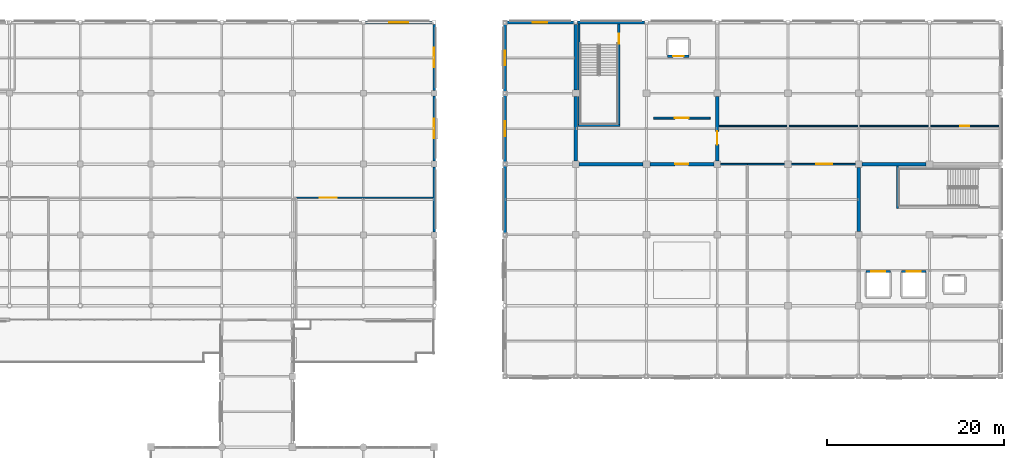
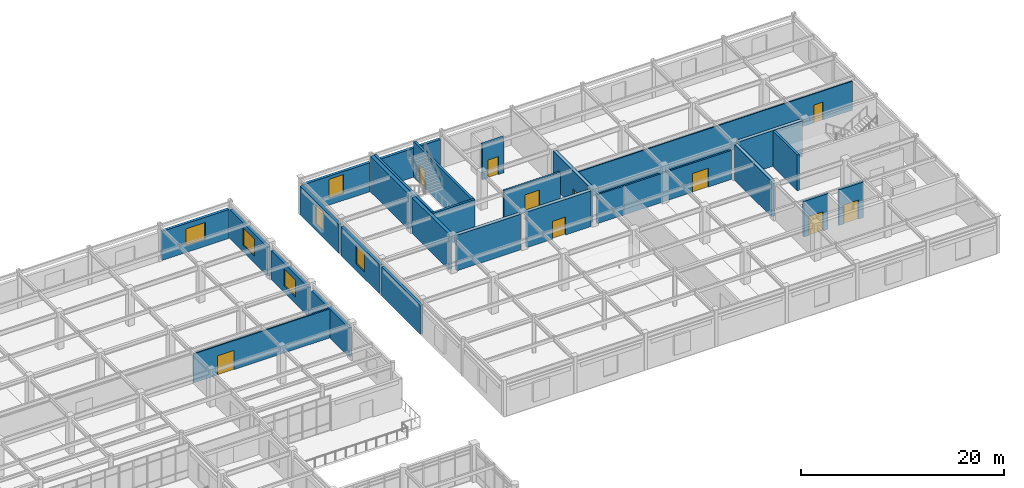
# One storey, part 63 of 93: 28 walls, 10 doors, 6 windows, 16 openings.
"""IFC4 building model written with IfcOpenShell, lengths in metres."""

from ifc_helpers import new_model, si_unit, direction, frame, frame_2d, origin, place, context, subcontext, project, spatial, rectangle, extrude, material, layer, layer_set, type_object, element, fill, save


model = new_model("IFC4")

# Units and contexts
model_context = context("Model", 3, precision=1e-05, world=origin(), true_north=direction((0.0, 1.0)))
body_context = subcontext(model_context, "Body", "Model", "MODEL_VIEW")
ifc_project = project(units=[si_unit("LENGTHUNIT", "METRE"), si_unit("AREAUNIT", "SQUARE_METRE"), si_unit("VOLUMEUNIT", "CUBIC_METRE"), si_unit("PLANEANGLEUNIT", "RADIAN"), si_unit("MASSUNIT", "GRAM", prefix="KILO")], contexts=[model_context])

# Site, building, storey
site_placement = place(None, origin())
site = spatial("IfcSite", under=ifc_project, at=site_placement, CompositionType="ELEMENT")
building_placement = place(site_placement, origin())
building = spatial("IfcBuilding", under=site, at=building_placement, Name="Solmirada Galleria", CompositionType="ELEMENT")
storey_placement = place(building_placement, frame((0.0, 0.0, 14.89990234375)))
storey = spatial("IfcBuildingStorey", under=building, at=storey_placement, Name="L03", CompositionType="ELEMENT", Elevation=14.89990234375)

# Wall
ifc_material_1 = material(Name="Concrete C40/50", Category="concrete")
ifc_layer_1 = layer(ifc_material_1, 0.3798828125)
ifc_layer_set_1 = layer_set([ifc_layer_1], Name="Concrete C40/50")
wall_type_1 = type_object("IfcWallType", Name="WL-CORE-380", PredefinedType="SHEAR", material=ifc_layer_set_1)
wall_1_placement = place(storey_placement, frame((128.375, 104.0, 0.0), z_axis=(0.0, 0.0, 1.0), x_axis=(1.0, 0.0, 0.0)))
element("IfcWall", 1, at=wall_1_placement, inside=storey, type_object=wall_type_1, Name="Core C3 shear wall L03 S1", PredefinedType="SHEAR", context=body_context, shape_type="SweptSolid", body=[
    extrude(rectangle(XDim=7.25, YDim=0.3798828125, at=frame_2d((3.625, 0.0))), origin(), (0.0, 0.0, 1.0), 4.280029296875),
])

# Wall, opening, door
wall_2_placement = place(storey_placement, frame((136.375, 104.0, 0.0), z_axis=(0.0, 0.0, 1.0), x_axis=(1.0, 0.0, 0.0)))
wall_2 = element("IfcWall", 2, at=wall_2_placement, inside=storey, type_object=wall_type_1, Name="Core C3 shear wall L03 S2", PredefinedType="SHEAR", context=body_context, shape_type="SweptSolid", body=[
    extrude(rectangle(XDim=7.25, YDim=0.3798828125, at=frame_2d((3.625, 0.0))), origin(), (0.0, 0.0, 1.0), 4.280029296875),
])
opening_1_placement = place(wall_2_placement, frame((2.875, 0.0, 0.0)))
opening_1 = element("IfcOpeningElement", 3, at=opening_1_placement, cuts=wall_2, Name="Opening LDY-186", PredefinedType="OPENING", context=body_context, shape_type="SweptSolid", body=[
    extrude(rectangle(XDim=1.5, YDim=2.14990234375, at=frame_2d((0.75, 1.074951171875))), frame((0.0, 0.199951171875, 0.0), z_axis=(0.0, -1.0, 0.0), x_axis=(1.0, 0.0, 0.0)), (0.0, 0.0, 1.0), 0.39990234375),
])
ifc_material_2 = material(Name="Fire-rated painted steel door assembly", Category="steel")
door_type_1 = type_object("IfcDoorType", Name="DR-LOBBY-150X215", OperationType="DOUBLE_DOOR_SINGLE_SWING", PredefinedType="DOOR", material=ifc_material_2)
door_1_placement = place(opening_1_placement, origin())
door_1 = element("IfcDoor", 4, at=door_1_placement, inside=storey, type_object=door_type_1, Name="Core C3 lobby access fire door LDY-186", OperationType="DOUBLE_DOOR_SINGLE_SWING", OverallHeight=2.14990234375, OverallWidth=1.5, PredefinedType="DOOR", context=body_context, shape_type="SweptSolid", body=[
    extrude(rectangle(XDim=1.5, YDim=2.14990234375, at=frame_2d((0.75, 1.074951171875))), frame((0.0, 0.02490234375, 0.0), z_axis=(0.0, -1.0, 0.0), x_axis=(1.0, 0.0, 0.0)), (0.0, 0.0, 1.0), 0.050048828125),
])
fill(opening_1, door_1)

# Walls
wall_3_placement = place(storey_placement, frame((128.0, 104.375, 0.0), z_axis=(0.0, 0.0, 1.0), x_axis=(0.0, 1.0, 0.0)))
element("IfcWall", 5, at=wall_3_placement, inside=storey, type_object=wall_type_1, Name="Core C3 shear wall L03 W1", PredefinedType="SHEAR", context=body_context, shape_type="SweptSolid", body=[
    extrude(rectangle(XDim=7.25, YDim=0.3798828125, at=frame_2d((3.625, 0.0))), origin(), (0.0, 0.0, 1.0), 4.280029296875),
])
wall_4_placement = place(storey_placement, frame((128.0, 112.375, 0.0), z_axis=(0.0, 0.0, 1.0), x_axis=(0.0, 1.0, 0.0)))
element("IfcWall", 6, at=wall_4_placement, inside=storey, type_object=wall_type_1, Name="Core C3 shear wall L03 W2", PredefinedType="SHEAR", context=body_context, shape_type="SweptSolid", body=[
    extrude(rectangle(XDim=7.422119140625, YDim=0.3798828125, at=frame_2d((3.7109375, 0.0))), origin(), (0.0, 0.0, 1.0), 4.280029296875),
])

# Wall, opening, door
wall_5_placement = place(storey_placement, frame((144.0, 104.375, 0.0), z_axis=(0.0, 0.0, 1.0), x_axis=(0.0, 1.0, 0.0)))
wall_5 = element("IfcWall", 7, at=wall_5_placement, inside=storey, type_object=wall_type_1, Name="Core C3 shear wall L03 E1", PredefinedType="SHEAR", context=body_context, shape_type="SweptSolid", body=[
    extrude(rectangle(XDim=7.25, YDim=0.3798828125, at=frame_2d((3.625, 0.0))), origin(), (0.0, 0.0, 1.0), 4.280029296875),
])
opening_2_placement = place(wall_5_placement, frame((1.837890625, 0.0, 0.0)))
opening_2 = element("IfcOpeningElement", 8, at=opening_2_placement, cuts=wall_5, Name="Opening LDY-187", PredefinedType="OPENING", context=body_context, shape_type="SweptSolid", body=[
    extrude(rectangle(XDim=1.5, YDim=2.14990234375, at=frame_2d((0.75, 1.074951171875))), frame((0.0, 0.199951171875, 0.0), z_axis=(0.0, -1.0, 0.0), x_axis=(1.0, 0.0, 0.0)), (0.0, 0.0, 1.0), 0.39990234375),
])
door_2_placement = place(opening_2_placement, origin())
door_2 = element("IfcDoor", 9, at=door_2_placement, inside=storey, type_object=door_type_1, Name="Core C3 lobby access fire door LDY-187", OperationType="DOUBLE_DOOR_SINGLE_SWING", OverallHeight=2.14990234375, OverallWidth=1.5, PredefinedType="DOOR", context=body_context, shape_type="SweptSolid", body=[
    extrude(rectangle(XDim=1.5, YDim=2.14990234375, at=frame_2d((0.75, 1.074951171875))), frame((0.0, 0.02490234375, 0.0), z_axis=(0.0, -1.0, 0.0), x_axis=(1.0, 0.0, 0.0)), (0.0, 0.0, 1.0), 0.050048828125),
])
fill(opening_2, door_2)

# Walls
for number, where, z_axis, x_axis, name in (
    (10, (160.375, 104.0, 0.0), (0.0, 0.0, 1.0), (1.0, 0.0, 0.0), "Core C4 shear wall L03 N1"),
    (11, (160.0, 96.375, 0.0), (0.0, 0.0, 1.0), (0.0, 1.0, 0.0), "Core C4 shear wall L03 W2"),
):
    element("IfcWall", number, at=place(storey_placement, frame(where, z_axis=z_axis, x_axis=x_axis)), inside=storey, type_object=wall_type_1, Name=name, PredefinedType="SHEAR", context=body_context, shape_type="SweptSolid", body=[
        extrude(rectangle(XDim=7.25, YDim=0.3798828125, at=frame_2d((3.625, 0.0))), origin(), (0.0, 0.0, 1.0), 4.280029296875),
    ])

# Wall, opening, window
ifc_material_3 = material(Name="Precast concrete C40/50", Category="concrete")
ifc_layer_2 = layer(ifc_material_3, 0.31005859375)
ifc_layer_set_2 = layer_set([ifc_layer_2], Name="Precast concrete C40/50")
wall_type_2 = type_object("IfcWallType", Name="WL-EXT-310", PredefinedType="STANDARD", material=ifc_layer_set_2)
wall_6_placement = place(storey_placement, frame((104.202880859375, 120.0, 0.0), z_axis=(0.0, 0.0, 1.0), x_axis=(1.0, 0.0, 0.0)))
wall_6 = element("IfcWall", 12, at=wall_6_placement, inside=storey, type_object=wall_type_2, Name="Exterior wall L03 bay 029", PredefinedType="STANDARD", context=body_context, shape_type="SweptSolid", body=[
    extrude(rectangle(XDim=7.59423828125, YDim=0.31005859375, at=frame_2d((3.797119140625, 0.0))), origin(), (0.0, 0.0, 1.0), 3.47998046875),
])
opening_3_placement = place(wall_6_placement, frame((2.697021484375, 0.0, 0.800048828125)))
opening_3 = element("IfcOpeningElement", 13, at=opening_3_placement, cuts=wall_6, Name="Opening WN3", PredefinedType="OPENING", context=body_context, shape_type="SweptSolid", body=[
    extrude(rectangle(XDim=2.199951171875, YDim=2.050048828125, at=frame_2d((1.10009765625, 1.02490234375))), frame((0.0, 0.1650390625, 0.0), z_axis=(0.0, -1.0, 0.0), x_axis=(1.0, 0.0, 0.0)), (0.0, 0.0, 1.0), 0.330078125),
])
ifc_material_4 = material(Name="Impact-resistant low-E double glazing", Category="glass")
window_type_1 = type_object("IfcWindowType", Name="WIN-AVE-220X205", PartitioningType="DOUBLE_PANEL_VERTICAL", PredefinedType="WINDOW", material=ifc_material_4)
window_1_placement = place(opening_3_placement, origin())
window_1 = element("IfcWindow", 14, at=window_1_placement, inside=storey, type_object=window_type_1, Name="Window L03-080", OverallHeight=2.050048828125, OverallWidth=2.199951171875, PartitioningType="DOUBLE_PANEL_VERTICAL", PredefinedType="WINDOW", context=body_context, shape_type="SweptSolid", body=[
    extrude(rectangle(XDim=2.199951171875, YDim=2.050048828125, at=frame_2d((1.10009765625, 1.02490234375))), frame((0.0, 0.030029296875, 0.0), z_axis=(0.0, -1.0, 0.0), x_axis=(1.0, 0.0, 0.0)), (0.0, 0.0, 1.0), 0.06005859375),
])
fill(opening_3, window_1)

wall_7_placement = place(storey_placement, frame((112.0, 119.797119140625, 0.0), z_axis=(0.0, 0.0, 1.0), x_axis=(0.0, -1.0, 0.0)))
wall_7 = element("IfcWall", 15, at=wall_7_placement, inside=storey, type_object=wall_type_2, Name="Exterior wall L03 bay 030", PredefinedType="STANDARD", context=body_context, shape_type="SweptSolid", body=[
    extrude(rectangle(XDim=7.47216796875, YDim=0.31005859375, at=frame_2d((3.736083984375, 0.0))), origin(), (0.0, 0.0, 1.0), 3.47998046875),
])
opening_4_placement = place(wall_7_placement, frame((2.635986328125, 0.0, 0.800048828125)))
opening_4 = element("IfcOpeningElement", 16, at=opening_4_placement, cuts=wall_7, Name="Opening WN3", PredefinedType="OPENING", context=body_context, shape_type="SweptSolid", body=[
    extrude(rectangle(XDim=2.199951171875, YDim=2.050048828125, at=frame_2d((1.10009765625, 1.02490234375))), frame((0.0, 0.1650390625, 0.0), z_axis=(0.0, -1.0, 0.0), x_axis=(1.0, 0.0, 0.0)), (0.0, 0.0, 1.0), 0.330078125),
])
window_2_placement = place(opening_4_placement, origin())
window_2 = element("IfcWindow", 17, at=window_2_placement, inside=storey, type_object=window_type_1, Name="Window L03-081", OverallHeight=2.050048828125, OverallWidth=2.199951171875, PartitioningType="DOUBLE_PANEL_VERTICAL", PredefinedType="WINDOW", context=body_context, shape_type="SweptSolid", body=[
    extrude(rectangle(XDim=2.199951171875, YDim=2.050048828125, at=frame_2d((1.10009765625, 1.02490234375))), frame((0.0, 0.030029296875, 0.0), z_axis=(0.0, -1.0, 0.0), x_axis=(1.0, 0.0, 0.0)), (0.0, 0.0, 1.0), 0.06005859375),
])
fill(opening_4, window_2)

wall_8_placement = place(storey_placement, frame((112.0, 111.675048828125, 0.0), z_axis=(0.0, 0.0, 1.0), x_axis=(0.0, -1.0, 0.0)))
wall_8 = element("IfcWall", 18, at=wall_8_placement, inside=storey, type_object=wall_type_2, Name="Exterior wall L03 bay 031", PredefinedType="STANDARD", context=body_context, shape_type="SweptSolid", body=[
    extrude(rectangle(XDim=7.35009765625, YDim=0.31005859375, at=frame_2d((3.675048828125, 0.0))), origin(), (0.0, 0.0, 1.0), 3.47998046875),
])
opening_5_placement = place(wall_8_placement, frame((2.574951171875, 0.0, 0.800048828125)))
opening_5 = element("IfcOpeningElement", 19, at=opening_5_placement, cuts=wall_8, Name="Opening WN3", PredefinedType="OPENING", context=body_context, shape_type="SweptSolid", body=[
    extrude(rectangle(XDim=2.199951171875, YDim=2.050048828125, at=frame_2d((1.10009765625, 1.02490234375))), frame((0.0, 0.1650390625, 0.0), z_axis=(0.0, -1.0, 0.0), x_axis=(1.0, 0.0, 0.0)), (0.0, 0.0, 1.0), 0.330078125),
])
window_3_placement = place(opening_5_placement, origin())
window_3 = element("IfcWindow", 20, at=window_3_placement, inside=storey, type_object=window_type_1, Name="Window L03-082", OverallHeight=2.050048828125, OverallWidth=2.199951171875, PartitioningType="DOUBLE_PANEL_VERTICAL", PredefinedType="WINDOW", context=body_context, shape_type="SweptSolid", body=[
    extrude(rectangle(XDim=2.199951171875, YDim=2.050048828125, at=frame_2d((1.10009765625, 1.02490234375))), frame((0.0, 0.030029296875, 0.0), z_axis=(0.0, -1.0, 0.0), x_axis=(1.0, 0.0, 0.0)), (0.0, 0.0, 1.0), 0.06005859375),
])
fill(opening_5, window_3)

# Walls
wall_9_placement = place(storey_placement, frame((112.0, 103.675048828125, 0.0), z_axis=(0.0, 0.0, 1.0), x_axis=(0.0, -1.0, 0.0)))
element("IfcWall", 21, at=wall_9_placement, inside=storey, type_object=wall_type_2, Name="Exterior wall L03 bay 032", PredefinedType="STANDARD", context=body_context, shape_type="SweptSolid", body=[
    extrude(rectangle(XDim=7.35009765625, YDim=0.31005859375, at=frame_2d((3.675048828125, 0.0))), origin(), (0.0, 0.0, 1.0), 3.47998046875),
])
wall_10_placement = place(storey_placement, frame((120.0, 96.177978515625, 0.0), z_axis=(0.0, 0.0, 1.0), x_axis=(0.0, 1.0, 0.0)))
element("IfcWall", 22, at=wall_10_placement, inside=storey, type_object=wall_type_2, Name="Exterior wall L03 bay 090", PredefinedType="STANDARD", context=body_context, shape_type="SweptSolid", body=[
    extrude(rectangle(XDim=7.64404296875, YDim=0.31005859375, at=frame_2d((3.822021484375, 0.0))), origin(), (0.0, 0.0, 1.0), 3.47998046875),
])

# Wall, opening, window
wall_11_placement = place(storey_placement, frame((120.0, 104.177978515625, 0.0), z_axis=(0.0, 0.0, 1.0), x_axis=(0.0, 1.0, 0.0)))
wall_11 = element("IfcWall", 23, at=wall_11_placement, inside=storey, type_object=wall_type_2, Name="Exterior wall L03 bay 091", PredefinedType="STANDARD", context=body_context, shape_type="SweptSolid", body=[
    extrude(rectangle(XDim=7.64404296875, YDim=0.31005859375, at=frame_2d((3.822021484375, 0.0))), origin(), (0.0, 0.0, 1.0), 3.47998046875),
])
opening_6_placement = place(wall_11_placement, frame((2.9970703125, 0.0, 0.800048828125)))
opening_6 = element("IfcOpeningElement", 24, at=opening_6_placement, cuts=wall_11, Name="Opening WN26", PredefinedType="OPENING", context=body_context, shape_type="SweptSolid", body=[
    extrude(rectangle(XDim=1.64990234375, YDim=2.300048828125, at=frame_2d((0.824951171875, 1.14990234375))), frame((0.0, 0.1650390625, 0.0), z_axis=(0.0, -1.0, 0.0), x_axis=(1.0, 0.0, 0.0)), (0.0, 0.0, 1.0), 0.330078125),
])
window_type_2 = type_object("IfcWindowType", Name="WIN-ARCH-165X230", PartitioningType="DOUBLE_PANEL_HORIZONTAL", PredefinedType="WINDOW", material=ifc_material_4)
window_4_placement = place(opening_6_placement, origin())
window_4 = element("IfcWindow", 25, at=window_4_placement, inside=storey, type_object=window_type_2, Name="Window L03-109", OverallHeight=2.300048828125, OverallWidth=1.64990234375, PartitioningType="DOUBLE_PANEL_HORIZONTAL", PredefinedType="WINDOW", context=body_context, shape_type="SweptSolid", body=[
    extrude(rectangle(XDim=1.64990234375, YDim=2.300048828125, at=frame_2d((0.824951171875, 1.14990234375))), frame((0.0, 0.030029296875, 0.0), z_axis=(0.0, -1.0, 0.0), x_axis=(1.0, 0.0, 0.0)), (0.0, 0.0, 1.0), 0.06005859375),
])
fill(opening_6, window_4)

wall_12_placement = place(storey_placement, frame((120.0, 112.177978515625, 0.0), z_axis=(0.0, 0.0, 1.0), x_axis=(0.0, 1.0, 0.0)))
wall_12 = element("IfcWall", 26, at=wall_12_placement, inside=storey, type_object=wall_type_2, Name="Exterior wall L03 bay 092", PredefinedType="STANDARD", context=body_context, shape_type="SweptSolid", body=[
    extrude(rectangle(XDim=7.64404296875, YDim=0.31005859375, at=frame_2d((3.822021484375, 0.0))), origin(), (0.0, 0.0, 1.0), 3.47998046875),
])
opening_7_placement = place(wall_12_placement, frame((2.9970703125, 0.0, 0.800048828125)))
opening_7 = element("IfcOpeningElement", 27, at=opening_7_placement, cuts=wall_12, Name="Opening WN26", PredefinedType="OPENING", context=body_context, shape_type="SweptSolid", body=[
    extrude(rectangle(XDim=1.64990234375, YDim=2.300048828125, at=frame_2d((0.824951171875, 1.14990234375))), frame((0.0, 0.1650390625, 0.0), z_axis=(0.0, -1.0, 0.0), x_axis=(1.0, 0.0, 0.0)), (0.0, 0.0, 1.0), 0.330078125),
])
window_5_placement = place(opening_7_placement, origin())
window_5 = element("IfcWindow", 28, at=window_5_placement, inside=storey, type_object=window_type_2, Name="Window L03-110", OverallHeight=2.300048828125, OverallWidth=1.64990234375, PartitioningType="DOUBLE_PANEL_HORIZONTAL", PredefinedType="WINDOW", context=body_context, shape_type="SweptSolid", body=[
    extrude(rectangle(XDim=1.64990234375, YDim=2.300048828125, at=frame_2d((0.824951171875, 1.14990234375))), frame((0.0, 0.030029296875, 0.0), z_axis=(0.0, -1.0, 0.0), x_axis=(1.0, 0.0, 0.0)), (0.0, 0.0, 1.0), 0.06005859375),
])
fill(opening_7, window_5)

wall_13_placement = place(storey_placement, frame((120.177978515625, 120.0, 0.0), z_axis=(0.0, 0.0, 1.0), x_axis=(1.0, 0.0, 0.0)))
wall_13 = element("IfcWall", 29, at=wall_13_placement, inside=storey, type_object=wall_type_2, Name="Exterior wall L03 bay 093", PredefinedType="STANDARD", context=body_context, shape_type="SweptSolid", body=[
    extrude(rectangle(XDim=7.619140625, YDim=0.31005859375, at=frame_2d((3.8095703125, 0.0))), origin(), (0.0, 0.0, 1.0), 3.47998046875),
])
opening_8_placement = place(wall_13_placement, frame((2.98388671875, 0.0, 0.800048828125)))
opening_8 = element("IfcOpeningElement", 30, at=opening_8_placement, cuts=wall_13, Name="Opening WN26", PredefinedType="OPENING", context=body_context, shape_type="SweptSolid", body=[
    extrude(rectangle(XDim=1.64990234375, YDim=2.300048828125, at=frame_2d((0.824951171875, 1.14990234375))), frame((0.0, 0.1650390625, 0.0), z_axis=(0.0, -1.0, 0.0), x_axis=(1.0, 0.0, 0.0)), (0.0, 0.0, 1.0), 0.330078125),
])
window_6_placement = place(opening_8_placement, origin())
window_6 = element("IfcWindow", 31, at=window_6_placement, inside=storey, type_object=window_type_2, Name="Window L03-111", OverallHeight=2.300048828125, OverallWidth=1.64990234375, PartitioningType="DOUBLE_PANEL_HORIZONTAL", PredefinedType="WINDOW", context=body_context, shape_type="SweptSolid", body=[
    extrude(rectangle(XDim=1.64990234375, YDim=2.300048828125, at=frame_2d((0.824951171875, 1.14990234375))), frame((0.0, 0.030029296875, 0.0), z_axis=(0.0, -1.0, 0.0), x_axis=(1.0, 0.0, 0.0)), (0.0, 0.0, 1.0), 0.06005859375),
])
fill(opening_8, window_6)

# Wall
wall_14_placement = place(storey_placement, frame((128.202880859375, 120.0, 0.0), z_axis=(0.0, 0.0, 1.0), x_axis=(1.0, 0.0, 0.0)))
element("IfcWall", 32, at=wall_14_placement, inside=storey, type_object=wall_type_2, Name="Exterior wall L03 bay 094", PredefinedType="STANDARD", context=body_context, shape_type="SweptSolid", body=[
    extrude(rectangle(XDim=7.59423828125, YDim=0.31005859375, at=frame_2d((3.797119140625, 0.0))), origin(), (0.0, 0.0, 1.0), 3.47998046875),
])

# Wall, opening, door
ifc_layer_3 = layer(ifc_material_1, 0.239990234375)
ifc_layer_set_3 = layer_set([ifc_layer_3], Name="Concrete C40/50")
wall_type_3 = type_object("IfcWallType", Name="WL-HOIST-240", PredefinedType="PARTITIONING", material=ifc_layer_set_3)
wall_15_placement = place(storey_placement, frame((138.3701171875, 116.195068359375, 0.0), z_axis=(0.0, 0.0, 1.0), x_axis=(1.0, 0.0, 0.0)))
wall_15 = element("IfcWall", 33, at=wall_15_placement, inside=storey, type_object=wall_type_3, Name="Lift FL1 hoistway front wall L03", PredefinedType="PARTITIONING", context=body_context, shape_type="SweptSolid", body=[
    extrude(rectangle(XDim=2.4599609375, YDim=0.239990234375, at=frame_2d((1.22998046875, 0.0))), origin(), (0.0, 0.0, 1.0), 4.280029296875),
])
opening_9_placement = place(wall_15_placement, frame((0.6298828125, 0.0, 0.0)))
opening_9 = element("IfcOpeningElement", 34, at=opening_9_placement, cuts=wall_15, Name="Opening LD-FL1-L03", PredefinedType="OPENING", context=body_context, shape_type="SweptSolid", body=[
    extrude(rectangle(XDim=1.199951171875, YDim=2.14990234375, at=frame_2d((0.60009765625, 1.074951171875))), frame((0.0, 0.1298828125, 0.0), z_axis=(0.0, -1.0, 0.0), x_axis=(1.0, 0.0, 0.0)), (0.0, 0.0, 1.0), 0.260009765625),
])
ifc_material_5 = material(Name="Brushed stainless-steel sliding landing door", Category="steel")
door_type_2 = type_object("IfcDoorType", Name="DR-LIFT-120X215", OperationType="SLIDING_TO_LEFT", PredefinedType="DOOR", material=ifc_material_5)
door_3_placement = place(opening_9_placement, origin())
door_3 = element("IfcDoor", 35, at=door_3_placement, inside=storey, type_object=door_type_2, Name="Lift FL1 sliding landing door L03", OperationType="SLIDING_TO_LEFT", OverallHeight=2.14990234375, OverallWidth=1.199951171875, PredefinedType="DOOR", context=body_context, shape_type="SweptSolid", body=[
    extrude(rectangle(XDim=1.199951171875, YDim=2.14990234375, at=frame_2d((0.60009765625, 1.074951171875))), frame((0.0, 0.02490234375, 0.0), z_axis=(0.0, -1.0, 0.0), x_axis=(1.0, 0.0, 0.0)), (0.0, 0.0, 1.0), 0.050048828125),
])
fill(opening_9, door_3)

wall_16_placement = place(storey_placement, frame((164.820068359375, 91.8798828125, 0.0), z_axis=(0.0, 0.0, 1.0), x_axis=(1.0, 0.0, 0.0)))
wall_16 = element("IfcWall", 36, at=wall_16_placement, inside=storey, type_object=wall_type_3, Name="Lift GF1 hoistway front wall L03", PredefinedType="PARTITIONING", context=body_context, shape_type="SweptSolid", body=[
    extrude(rectangle(XDim=2.760009765625, YDim=0.239990234375, at=frame_2d((1.3798828125, 0.0))), origin(), (0.0, 0.0, 1.0), 4.280029296875),
])
opening_10_placement = place(wall_16_placement, frame((0.580078125, 0.0, 0.0)))
opening_10 = element("IfcOpeningElement", 37, at=opening_10_placement, cuts=wall_16, Name="Opening LD-GF1-L03", PredefinedType="OPENING", context=body_context, shape_type="SweptSolid", body=[
    extrude(rectangle(XDim=1.60009765625, YDim=2.300048828125, at=frame_2d((0.800048828125, 1.14990234375))), frame((0.0, 0.1298828125, 0.0), z_axis=(0.0, -1.0, 0.0), x_axis=(1.0, 0.0, 0.0)), (0.0, 0.0, 1.0), 0.260009765625),
])
door_type_3 = type_object("IfcDoorType", Name="DR-LIFT-160X230", OperationType="SLIDING_TO_LEFT", PredefinedType="DOOR", material=ifc_material_5)
door_4_placement = place(opening_10_placement, origin())
door_4 = element("IfcDoor", 38, at=door_4_placement, inside=storey, type_object=door_type_3, Name="Lift GF1 sliding landing door L03", OperationType="SLIDING_TO_LEFT", OverallHeight=2.300048828125, OverallWidth=1.60009765625, PredefinedType="DOOR", context=body_context, shape_type="SweptSolid", body=[
    extrude(rectangle(XDim=1.60009765625, YDim=2.300048828125, at=frame_2d((0.800048828125, 1.14990234375))), frame((0.0, 0.02490234375, 0.0), z_axis=(0.0, -1.0, 0.0), x_axis=(1.0, 0.0, 0.0)), (0.0, 0.0, 1.0), 0.050048828125),
])
fill(opening_10, door_4)

wall_17_placement = place(storey_placement, frame((160.820068359375, 91.8798828125, 0.0), z_axis=(0.0, 0.0, 1.0), x_axis=(1.0, 0.0, 0.0)))
wall_17 = element("IfcWall", 39, at=wall_17_placement, inside=storey, type_object=wall_type_3, Name="Lift GF2 hoistway front wall L03", PredefinedType="PARTITIONING", context=body_context, shape_type="SweptSolid", body=[
    extrude(rectangle(XDim=2.760009765625, YDim=0.239990234375, at=frame_2d((1.3798828125, 0.0))), origin(), (0.0, 0.0, 1.0), 4.280029296875),
])
opening_11_placement = place(wall_17_placement, frame((0.580078125, 0.0, 0.0)))
opening_11 = element("IfcOpeningElement", 40, at=opening_11_placement, cuts=wall_17, Name="Opening LD-GF2-L03", PredefinedType="OPENING", context=body_context, shape_type="SweptSolid", body=[
    extrude(rectangle(XDim=1.60009765625, YDim=2.300048828125, at=frame_2d((0.800048828125, 1.14990234375))), frame((0.0, 0.1298828125, 0.0), z_axis=(0.0, -1.0, 0.0), x_axis=(1.0, 0.0, 0.0)), (0.0, 0.0, 1.0), 0.260009765625),
])
door_5_placement = place(opening_11_placement, origin())
door_5 = element("IfcDoor", 41, at=door_5_placement, inside=storey, type_object=door_type_3, Name="Lift GF2 sliding landing door L03", OperationType="SLIDING_TO_LEFT", OverallHeight=2.300048828125, OverallWidth=1.60009765625, PredefinedType="DOOR", context=body_context, shape_type="SweptSolid", body=[
    extrude(rectangle(XDim=1.60009765625, YDim=2.300048828125, at=frame_2d((0.800048828125, 1.14990234375))), frame((0.0, 0.02490234375, 0.0), z_axis=(0.0, -1.0, 0.0), x_axis=(1.0, 0.0, 0.0)), (0.0, 0.0, 1.0), 0.050048828125),
])
fill(opening_11, door_5)

ifc_material_6 = material(Name="Acoustic gypsum board partition")
ifc_layer_4 = layer(ifc_material_6, 0.135009765625)
ifc_layer_set_4 = layer_set([ifc_layer_4], Name="Acoustic gypsum board partition")
wall_type_4 = type_object("IfcWallType", Name="WL-PART-135", PredefinedType="PARTITIONING", material=ifc_layer_set_4)
wall_18_placement = place(storey_placement, frame((144.0, 108.300048828125, 0.0), z_axis=(0.0, 0.0, 1.0), x_axis=(1.0, 0.0, 0.0)))
wall_18 = element("IfcWall", 42, at=wall_18_placement, inside=storey, type_object=wall_type_4, Name="Partition L03-117 (Atelier L03)", PredefinedType="PARTITIONING", context=body_context, shape_type="SweptSolid", body=[
    extrude(rectangle(XDim=31.85009765625, YDim=0.135009765625, at=frame_2d((15.925048828125, 0.0))), origin(), (0.0, 0.0, 1.0), 3.47998046875),
])
opening_12_placement = place(wall_18_placement, frame((27.485107421875, 0.0, 0.0)))
opening_12 = element("IfcOpeningElement", 43, at=opening_12_placement, cuts=wall_18, Name="Opening ID-343", PredefinedType="OPENING", context=body_context, shape_type="SweptSolid", body=[
    extrude(rectangle(XDim=1.0, YDim=2.14990234375, at=frame_2d((0.5, 1.074951171875))), frame((0.0, 0.077392578125, 0.0), z_axis=(0.0, -1.0, 0.0), x_axis=(1.0, 0.0, 0.0)), (0.0, 0.0, 1.0), 0.155029296875),
])
ifc_material_7 = material(Name="Architectural hardwood veneer door", Category="wood")
door_type_4 = type_object("IfcDoorType", Name="DR-ROOM-100X215", OperationType="NOTDEFINED", PredefinedType="DOOR", material=ifc_material_7)
door_6_placement = place(opening_12_placement, origin())
door_6 = element("IfcDoor", 44, at=door_6_placement, inside=storey, type_object=door_type_4, Name="Atelier L03 door ID-343", OperationType="SINGLE_SWING_LEFT", OverallHeight=2.14990234375, OverallWidth=1.0, PredefinedType="DOOR", context=body_context, shape_type="SweptSolid", body=[
    extrude(rectangle(XDim=1.0, YDim=2.14990234375, at=frame_2d((0.5, 1.074951171875))), frame((0.0, 0.02490234375, 0.0), z_axis=(0.0, -1.0, 0.0), x_axis=(1.0, 0.0, 0.0)), (0.0, 0.0, 1.0), 0.050048828125),
])
fill(opening_12, door_6)

ifc_layer_5 = layer(ifc_material_6, 0.159912109375)
ifc_layer_set_5 = layer_set([ifc_layer_5], Name="Acoustic gypsum board partition")
wall_type_5 = type_object("IfcWallType", Name="WL-PART-160", PredefinedType="PARTITIONING", material=ifc_layer_set_5)
wall_19_placement = place(storey_placement, frame((96.39990234375, 100.199951171875, 0.0), z_axis=(0.0, 0.0, 1.0), x_axis=(1.0, 0.0, 0.0)))
wall_19 = element("IfcWall", 45, at=wall_19_placement, inside=storey, type_object=wall_type_5, Name="Partition L03-099 (North Promenade E L03)", PredefinedType="PARTITIONING", context=body_context, shape_type="SweptSolid", body=[
    extrude(rectangle(XDim=15.4501953125, YDim=0.159912109375, at=frame_2d((7.72509765625, 0.0))), origin(), (0.0, 0.0, 1.0), 3.47998046875),
])
opening_13_placement = place(wall_19_placement, frame((2.68603515625, 0.0, 0.0)))
opening_13 = element("IfcOpeningElement", 46, at=opening_13_placement, cuts=wall_19, Name="Opening ID-329", PredefinedType="OPENING", context=body_context, shape_type="SweptSolid", body=[
    extrude(rectangle(XDim=1.89990234375, YDim=2.300048828125, at=frame_2d((0.949951171875, 1.14990234375))), frame((0.0, 0.08984375, 0.0), z_axis=(0.0, -1.0, 0.0), x_axis=(1.0, 0.0, 0.0)), (0.0, 0.0, 1.0), 0.179931640625),
])
door_type_5 = type_object("IfcDoorType", Name="DR-DEPT-190X230", OperationType="DOUBLE_DOOR_SINGLE_SWING", PredefinedType="DOOR", material=ifc_material_7)
door_7_placement = place(opening_13_placement, origin())
door_7 = element("IfcDoor", 47, at=door_7_placement, inside=storey, type_object=door_type_5, Name="North Promenade E L03 door ID-329", OperationType="DOUBLE_DOOR_SINGLE_SWING", OverallHeight=2.300048828125, OverallWidth=1.89990234375, PredefinedType="DOOR", context=body_context, shape_type="SweptSolid", body=[
    extrude(rectangle(XDim=1.89990234375, YDim=2.300048828125, at=frame_2d((0.949951171875, 1.14990234375))), frame((0.0, 0.02490234375, 0.0), z_axis=(0.0, -1.0, 0.0), x_axis=(1.0, 0.0, 0.0)), (0.0, 0.0, 1.0), 0.050048828125),
])
fill(opening_13, door_7)

# Wall
ifc_material_8 = material(Name="Fire-rated gypsum and steel-stud partition", Category="steel")
ifc_layer_6 = layer(ifc_material_8, 0.18994140625)
ifc_layer_set_6 = layer_set([ifc_layer_6], Name="Fire-rated gypsum and steel-stud partition")
wall_type_6 = type_object("IfcWallType", Name="WL-PART-190", PredefinedType="PARTITIONING", material=ifc_layer_set_6)
wall_20_placement = place(storey_placement, frame((144.375, 104.0, 0.0), z_axis=(0.0, 0.0, 1.0), x_axis=(1.0, 0.0, 0.0)))
element("IfcWall", 48, at=wall_20_placement, inside=storey, type_object=wall_type_6, Name="Partition L03-114 (NE Corridor South W L03)", PredefinedType="PARTITIONING", context=body_context, shape_type="SweptSolid", body=[
    extrude(rectangle(XDim=3.02490234375, YDim=0.18994140625, at=frame_2d((1.512451171875, 0.0))), origin(), (0.0, 0.0, 1.0), 3.47998046875),
])

# Wall, opening, door
wall_21_placement = place(storey_placement, frame((147.39990234375, 104.0, 0.0), z_axis=(0.0, 0.0, 1.0), x_axis=(1.0, 0.0, 0.0)))
wall_21 = element("IfcWall", 49, at=wall_21_placement, inside=storey, type_object=wall_type_6, Name="Partition L03-115 (NE Corridor South E L03)", PredefinedType="PARTITIONING", context=body_context, shape_type="SweptSolid", body=[
    extrude(rectangle(XDim=12.22509765625, YDim=0.18994140625, at=frame_2d((6.112548828125, 0.0))), origin(), (0.0, 0.0, 1.0), 3.47998046875),
])
opening_14_placement = place(wall_21_placement, frame((7.787109375, 0.0, 0.0)))
opening_14 = element("IfcOpeningElement", 50, at=opening_14_placement, cuts=wall_21, Name="Opening ID-341", PredefinedType="OPENING", context=body_context, shape_type="SweptSolid", body=[
    extrude(rectangle(XDim=1.800048828125, YDim=2.25, at=frame_2d((0.89990234375, 1.125))), frame((0.0, 0.10498046875, 0.0), z_axis=(0.0, -1.0, 0.0), x_axis=(1.0, 0.0, 0.0)), (0.0, 0.0, 1.0), 0.2099609375),
])
door_type_6 = type_object("IfcDoorType", Name="DR-STOCK-180X225", OperationType="DOUBLE_DOOR_SINGLE_SWING", PredefinedType="DOOR", material=ifc_material_2)
door_8_placement = place(opening_14_placement, origin())
door_8 = element("IfcDoor", 51, at=door_8_placement, inside=storey, type_object=door_type_6, Name="NE Corridor South E L03 door ID-341", OperationType="DOUBLE_DOOR_SINGLE_SWING", OverallHeight=2.25, OverallWidth=1.800048828125, PredefinedType="DOOR", context=body_context, shape_type="SweptSolid", body=[
    extrude(rectangle(XDim=1.800048828125, YDim=2.25, at=frame_2d((0.89990234375, 1.125))), frame((0.0, 0.02490234375, 0.0), z_axis=(0.0, -1.0, 0.0), x_axis=(1.0, 0.0, 0.0)), (0.0, 0.0, 1.0), 0.050048828125),
])
fill(opening_14, door_8)

ifc_layer_7 = layer(ifc_material_8, 0.219970703125)
ifc_layer_set_7 = layer_set([ifc_layer_7], Name="Fire-rated gypsum and steel-stud partition")
wall_type_7 = type_object("IfcWallType", Name="WL-PART-220", PredefinedType="PARTITIONING", material=ifc_layer_set_7)
wall_22_placement = place(storey_placement, frame((136.800048828125, 109.199951171875, 0.0), z_axis=(0.0, 0.0, 1.0), x_axis=(1.0, 0.0, 0.0)))
wall_22 = element("IfcWall", 52, at=wall_22_placement, inside=storey, type_object=wall_type_7, Name="Firefighting lift lobby C3 smoke barrier L03", PredefinedType="PARTITIONING", context=body_context, shape_type="SweptSolid", body=[
    extrude(rectangle(XDim=6.39990234375, YDim=0.219970703125, at=frame_2d((3.199951171875, 0.0))), origin(), (0.0, 0.0, 1.0), 3.47998046875),
])
opening_15_placement = place(wall_22_placement, frame((2.39990234375, 0.0, 0.0)))
opening_15 = element("IfcOpeningElement", 53, at=opening_15_placement, cuts=wall_22, Name="Opening FD-188", PredefinedType="OPENING", context=body_context, shape_type="SweptSolid", body=[
    extrude(rectangle(XDim=1.60009765625, YDim=2.14990234375, at=frame_2d((0.800048828125, 1.074951171875))), frame((0.0, 0.119873046875, 0.0), z_axis=(0.0, -1.0, 0.0), x_axis=(1.0, 0.0, 0.0)), (0.0, 0.0, 1.0), 0.239990234375),
])
door_type_7 = type_object("IfcDoorType", Name="DR-FFLOB-160X215", OperationType="DOUBLE_DOOR_SINGLE_SWING", PredefinedType="DOOR", material=ifc_material_2)
door_9_placement = place(opening_15_placement, origin())
door_9 = element("IfcDoor", 54, at=door_9_placement, inside=storey, type_object=door_type_7, Name="Firefighting lift lobby internal door FD-188", OperationType="DOUBLE_DOOR_SINGLE_SWING", OverallHeight=2.14990234375, OverallWidth=1.60009765625, PredefinedType="DOOR", context=body_context, shape_type="SweptSolid", body=[
    extrude(rectangle(XDim=1.60009765625, YDim=2.14990234375, at=frame_2d((0.800048828125, 1.074951171875))), frame((0.0, 0.02490234375, 0.0), z_axis=(0.0, -1.0, 0.0), x_axis=(1.0, 0.0, 0.0)), (0.0, 0.0, 1.0), 0.050048828125),
])
fill(opening_15, door_9)

# Walls
ifc_layer_8 = layer(ifc_material_1, 0.260009765625)
ifc_layer_set_8 = layer_set([ifc_layer_8], Name="Concrete C40/50")
wall_type_8 = type_object("IfcWallType", Name="WL-SHAFT-260", PredefinedType="SHEAR", material=ifc_layer_set_8)
wall_23_placement = place(storey_placement, frame((128.239990234375, 108.3701171875, 0.0), z_axis=(0.0, 0.0, 1.0), x_axis=(1.0, 0.0, 0.0)))
element("IfcWall", 55, at=wall_23_placement, inside=storey, type_object=wall_type_8, Name="Stair ST3 enclosure wall L03 S", PredefinedType="SHEAR", context=body_context, shape_type="SweptSolid", body=[
    extrude(rectangle(XDim=4.77001953125, YDim=0.260009765625, at=frame_2d((2.385009765625, 0.0))), origin(), (0.0, 0.0, 1.0), 4.280029296875),
])
wall_24_placement = place(storey_placement, frame((128.3701171875, 108.5, 0.0), z_axis=(0.0, 0.0, 1.0), x_axis=(0.0, 1.0, 0.0)))
element("IfcWall", 56, at=wall_24_placement, inside=storey, type_object=wall_type_8, Name="Stair ST3 enclosure wall L03 W", PredefinedType="SHEAR", context=body_context, shape_type="SweptSolid", body=[
    extrude(rectangle(XDim=11.35498046875, YDim=0.260009765625, at=frame_2d((5.677490234375, 0.0))), origin(), (0.0, 0.0, 1.0), 4.280029296875),
])

# Wall, opening, door
wall_25_placement = place(storey_placement, frame((132.8798828125, 108.5, 0.0), z_axis=(0.0, 0.0, 1.0), x_axis=(0.0, 1.0, 0.0)))
wall_25 = element("IfcWall", 57, at=wall_25_placement, inside=storey, type_object=wall_type_8, Name="Stair ST3 enclosure wall L03 E", PredefinedType="SHEAR", context=body_context, shape_type="SweptSolid", body=[
    extrude(rectangle(XDim=11.35498046875, YDim=0.260009765625, at=frame_2d((5.677490234375, 0.0))), origin(), (0.0, 0.0, 1.0), 4.280029296875),
])
opening_16_placement = place(wall_25_placement, frame((9.10009765625, 0.0, 0.0)))
opening_16 = element("IfcOpeningElement", 58, at=opening_16_placement, cuts=wall_25, Name="Opening SD-185", PredefinedType="OPENING", context=body_context, shape_type="SweptSolid", body=[
    extrude(rectangle(XDim=1.14990234375, YDim=2.14990234375, at=frame_2d((0.574951171875, 1.074951171875))), frame((0.0, 0.139892578125, 0.0), z_axis=(0.0, -1.0, 0.0), x_axis=(1.0, 0.0, 0.0)), (0.0, 0.0, 1.0), 0.280029296875),
])
door_type_8 = type_object("IfcDoorType", Name="DR-STAIR-115X215", OperationType="NOTDEFINED", PredefinedType="DOOR", material=ifc_material_2)
door_10_placement = place(opening_16_placement, origin())
door_10 = element("IfcDoor", 59, at=door_10_placement, inside=storey, type_object=door_type_8, Name="Exit stair ST3 enclosure fire door SD-185", OperationType="SINGLE_SWING_LEFT", OverallHeight=2.14990234375, OverallWidth=1.14990234375, PredefinedType="DOOR", context=body_context, shape_type="SweptSolid", body=[
    extrude(rectangle(XDim=1.14990234375, YDim=2.14990234375, at=frame_2d((0.574951171875, 1.074951171875))), frame((0.0, 0.02490234375, 0.0), z_axis=(0.0, -1.0, 0.0), x_axis=(1.0, 0.0, 0.0)), (0.0, 0.0, 1.0), 0.050048828125),
])
fill(opening_16, door_10)

# Wall
wall_26_placement = place(storey_placement, frame((164.3701171875, 98.989990234375, 0.0), z_axis=(0.0, 0.0, 1.0), x_axis=(0.0, 1.0, 0.0)))
element("IfcWall", 60, at=wall_26_placement, inside=storey, type_object=wall_type_8, Name="Stair ST4 enclosure wall L03 W", PredefinedType="SHEAR", context=body_context, shape_type="SweptSolid", body=[
    extrude(rectangle(XDim=4.77001953125, YDim=0.260009765625, at=frame_2d((2.385009765625, 0.0))), origin(), (0.0, 0.0, 1.0), 4.280029296875),
])

save(model, "model.ifc")
